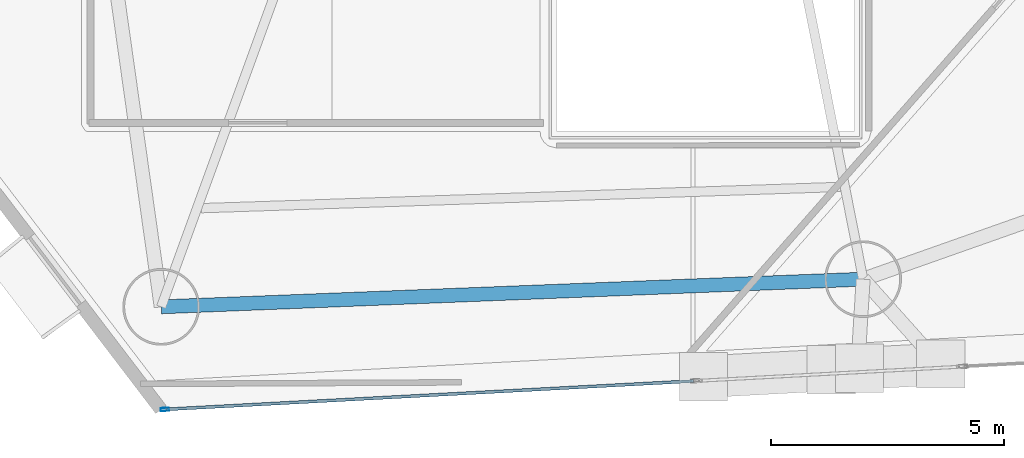
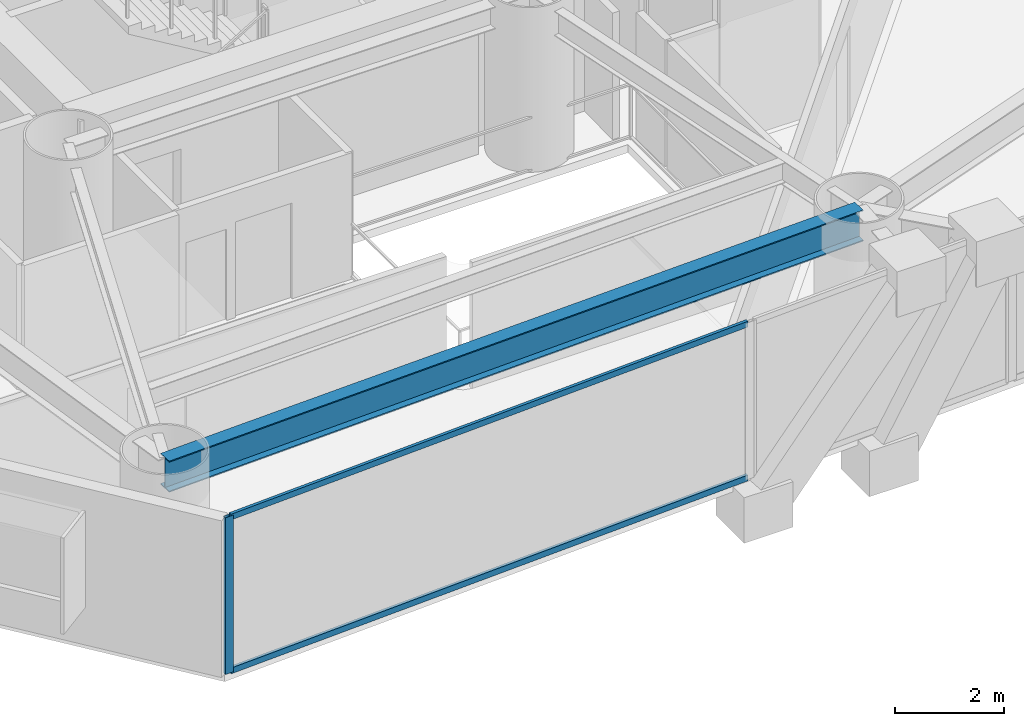
# One storey, part 2 of 23: 3 members, 1 beam, 1 element without a shape of its own.
"""IFC4 building model written with IfcOpenShell, lengths in metres."""

from ifc_helpers import new_model, si_unit, direction, frame, origin, origin_2d, place, context, subcontext, project, spatial, hollow_rectangle, i_section, extrude, material, layer, layer_set, material_profile, profile_set, type_object, element, aggregate, save


model = new_model("IFC4")

# Units and contexts
model_context = context("Model", 3, precision=1e-05, world=origin(), true_north=direction((0.0, 1.0)))
body_context = subcontext(model_context, "Body", "Model", "MODEL_VIEW")
ifc_project = project(units=[si_unit("LENGTHUNIT", "METRE"), si_unit("AREAUNIT", "SQUARE_METRE"), si_unit("VOLUMEUNIT", "CUBIC_METRE"), si_unit("PLANEANGLEUNIT", "RADIAN"), si_unit("MASSUNIT", "GRAM", prefix="KILO")], contexts=[model_context])

# Site, building, storey
site_placement = place(None, origin())
site = spatial("IfcSite", under=ifc_project, at=site_placement, CompositionType="ELEMENT")
building_placement = place(site_placement, origin())
building = spatial("IfcBuilding", under=site, at=building_placement, Name="Qianvela Tower", CompositionType="ELEMENT")
storey_placement = place(building_placement, frame((0.0, 0.0, 56.199951171875)))
storey = spatial("IfcBuildingStorey", under=building, at=storey_placement, Name="L13", CompositionType="ELEMENT", Elevation=56.199951171875)

# Beam
ifc_material_1 = material(Name="Steel Q355B", Category="steel")
ifc_material_profile_1 = material_profile(ifc_material_1, i_section(OverallWidth=0.300048828125, OverallDepth=0.699951171875, WebThickness=0.012939453125, FlangeThickness=0.02392578125, at=origin_2d()), Name="HN700x300x13x24")
ifc_profile_set_1 = profile_set([ifc_material_profile_1], Name="Steel Q355B")
beam_type = type_object("IfcBeamType", Name="BM-HN700-SPAND", PredefinedType="SPANDREL", material=ifc_profile_set_1)
beam_placement = place(storey_placement, frame((25.10009765625, 14.22509765625, 3.16796875), z_axis=(0.999226043345, 0.039335916178, 0.0), x_axis=(-0.039335916178, 0.999226043345, 0.0)))
element("IfcBeam", 1, at=beam_placement, inside=storey, type_object=beam_type, Name="L13 Perimeter Ring Spandrel Girder 5", PredefinedType="SPANDREL", context=body_context, shape_type="SweptSolid", body=[
    extrude(i_section(OverallWidth=0.300048828125, OverallDepth=0.699951171875, WebThickness=0.012939453125, FlangeThickness=0.02392578125, at=origin_2d()), origin(), (0.0, 0.0, 1.0), 15.1005859375),
])

# Curtain wall, members
ifc_material_2 = material(Name="Anodised Architectural Aluminium and Low-E Glass", Category="aluminium")
ifc_layer = layer(ifc_material_2, 0.179931640625)
ifc_layer_set = layer_set([ifc_layer], Name="Anodised Architectural Aluminium and Low-E Glass")
curtain_wall_type = type_object("IfcCurtainWallType", Name="CW-COLIV-Z12", PredefinedType="USERDEFINED", material=ifc_layer_set)
curtain_wall_placement = place(storey_placement, origin())
curtain_wall = element("IfcCurtainWall", 2, at=curtain_wall_placement, inside=storey, type_object=curtain_wall_type, Name="L13 CW-COLIV-Z12 Curtain Wall 06A", ObjectType="CURTAIN_WALL_SYSTEM", PredefinedType="USERDEFINED")
ifc_material_3 = material(Name="Anodised Architectural Aluminium 6063-T6", Category="aluminium")
ifc_material_profile_2 = material_profile(ifc_material_3, hollow_rectangle(XDim=0.070068359375, YDim=0.179931640625, WallThickness=0.0048828125, at=origin_2d()), Name="ALU-MULL-70x180")
ifc_profile_set_2 = profile_set([ifc_material_profile_2], Name="Anodised Architectural Aluminium 6063-T6")
member_type_1 = type_object("IfcMemberType", Name="CW-COLIV-Z12-MULL", PredefinedType="MULLION", material=ifc_profile_set_2)
member_1_placement = place(storey_placement, frame((25.177978515625, 12.01953125, 0.0), z_axis=(0.0, 0.0, 1.0), x_axis=(-0.053603044834, 0.998562323335, 0.0)))
member_1 = element("IfcMember", 3, at=member_1_placement, type_object=member_type_1, Name="CW-3 mullion 1", PredefinedType="MULLION", context=body_context, shape_type="SweptSolid", body=[
    extrude(hollow_rectangle(XDim=0.070068359375, YDim=0.179931640625, WallThickness=0.0048828125, at=origin_2d()), origin(), (0.0, 0.0, 1.0), 3.52001953125),
])
ifc_material_4 = material(Name="Anodised Architectural Aluminium 6063-T6", Category="aluminium")
ifc_material_profile_3 = material_profile(ifc_material_4, hollow_rectangle(XDim=0.06494140625, YDim=0.1298828125, WallThickness=0.00439453125, at=origin_2d()), Name="ALU-TRAN-65x130")
ifc_profile_set_3 = profile_set([ifc_material_profile_3], Name="Anodised Architectural Aluminium 6063-T6")
member_type_2 = type_object("IfcMemberType", Name="CW-COLIV-Z12-TRAN", PredefinedType="USERDEFINED", material=ifc_profile_set_3)
member_2_placement = place(storey_placement, frame((25.212890625, 12.021240234375, 0.032470703125), z_axis=(0.998562319692, 0.053603112696, 0.0), x_axis=(-0.053603112696, 0.998562319692, 0.0)))
member_2 = element("IfcMember", 4, at=member_2_placement, type_object=member_type_2, Name="CW-3 transom 1.1", ObjectType="TRANSOM", PredefinedType="USERDEFINED", context=body_context, shape_type="SweptSolid", body=[
    extrude(hollow_rectangle(XDim=0.06494140625, YDim=0.1298828125, WallThickness=0.00439453125, at=origin_2d()), origin(), (0.0, 0.0, 1.0), 11.35009765625),
])
member_3_placement = place(storey_placement, frame((25.212890625, 12.021240234375, 3.487548828125), z_axis=(0.998562319692, 0.053603112696, 0.0), x_axis=(-0.053603112696, 0.998562319692, 0.0)))
member_3 = element("IfcMember", 5, at=member_3_placement, type_object=member_type_2, Name="CW-3 transom 1.2", ObjectType="TRANSOM", PredefinedType="USERDEFINED", context=body_context, shape_type="SweptSolid", body=[
    extrude(hollow_rectangle(XDim=0.06494140625, YDim=0.1298828125, WallThickness=0.00439453125, at=origin_2d()), origin(), (0.0, 0.0, 1.0), 11.35009765625),
])
aggregate(curtain_wall, [member_1, member_2, member_3])

save(model, "model.ifc")
